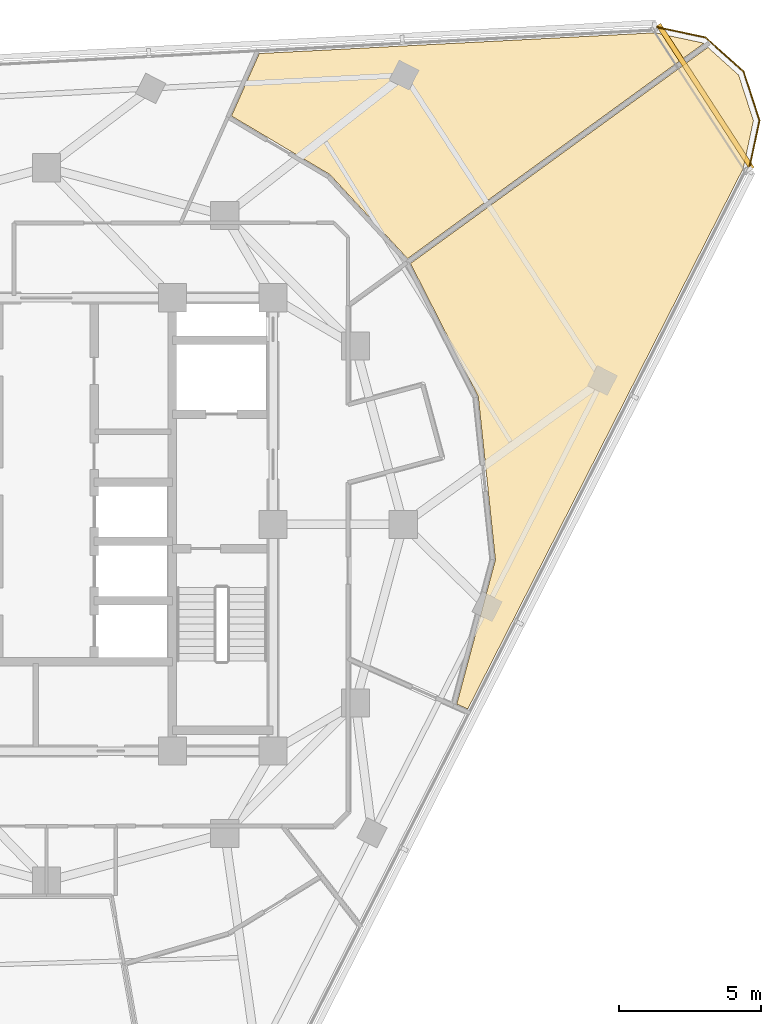
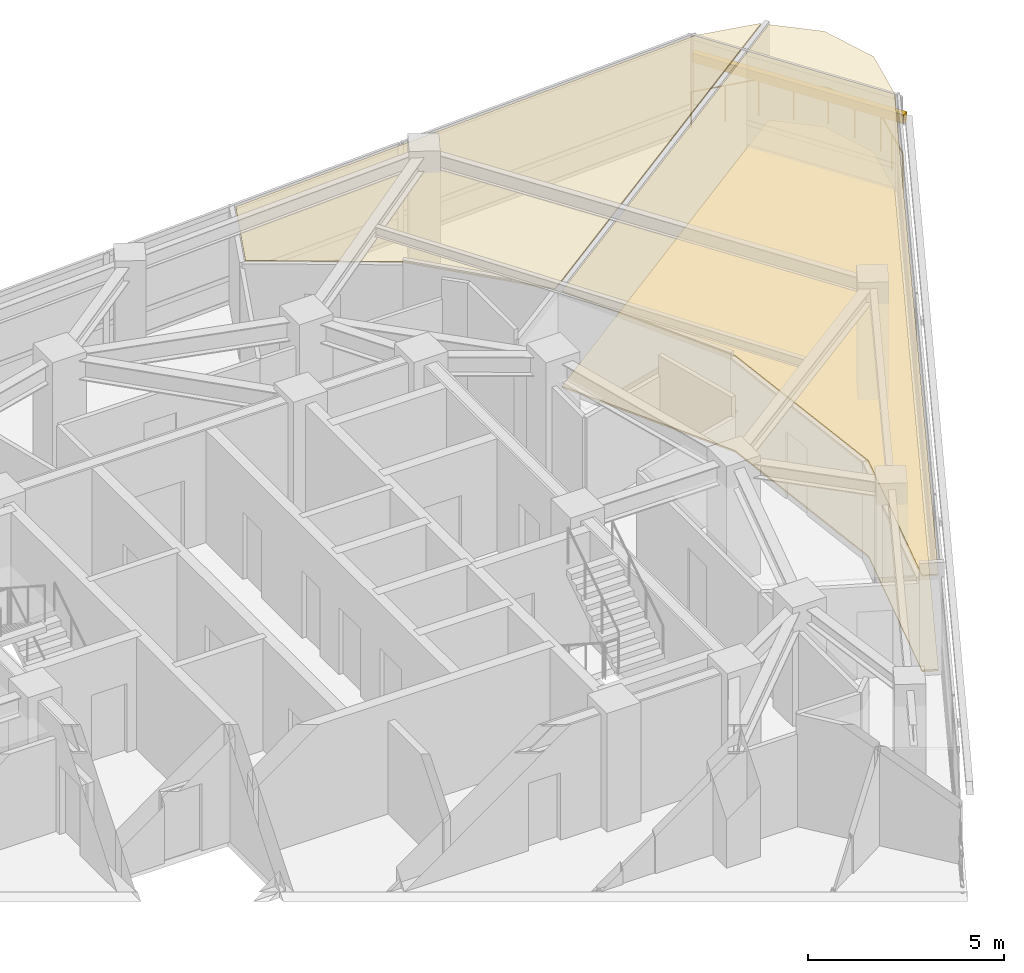
# One storey, part 15 of 15: 3 coverings, 1 railing, 1 shading device.
"""IFC4 building model written with IfcOpenShell, lengths in metres."""

from ifc_helpers import new_model, si_unit, direction, frame, origin, origin_2d, place, context, subcontext, project, spatial, polyline, rectangle, circle, outline, extrude, material, layer, layer_set, type_object, element, save


model = new_model("IFC4")

# Units and contexts
model_context = context("Model", 3, precision=1e-05, world=origin(), true_north=direction((0.0, 1.0)))
body_context = subcontext(model_context, "Body", "Model", "MODEL_VIEW")
ifc_project = project(units=[si_unit("LENGTHUNIT", "METRE"), si_unit("AREAUNIT", "SQUARE_METRE"), si_unit("VOLUMEUNIT", "CUBIC_METRE"), si_unit("PLANEANGLEUNIT", "RADIAN"), si_unit("MASSUNIT", "GRAM", prefix="KILO")], contexts=[model_context])

# Site, building, storey
site_placement = place(None, origin())
site = spatial("IfcSite", under=ifc_project, at=site_placement, CompositionType="ELEMENT")
building_placement = place(site_placement, origin())
building = spatial("IfcBuilding", under=site, at=building_placement, Name="Terralouvre Media Tower", CompositionType="ELEMENT")
storey_placement = place(building_placement, frame((0.0, 0.0, 255.89990234375)))
storey = spatial("IfcBuildingStorey", under=building, at=storey_placement, Name="L66", CompositionType="ELEMENT", Elevation=255.89990234375)

# Coverings
ifc_material_1 = material(Name="Resilient elastomer acoustic broadcast studio flooring")
ifc_layer_1 = layer(ifc_material_1, 0.050048828125, Name="Broadcast Studio Acoustic Floating Floor FL-AC1")
ifc_layer_set_1 = layer_set([ifc_layer_1], Name="Resilient elastomer acoustic broadcast studio flooring")
covering_type_1 = type_object("IfcCoveringType", Name="Broadcast Studio Acoustic Floating Floor FL-AC1", PredefinedType="FLOORING", material=ifc_layer_set_1)
covering_1_placement = place(storey_placement, frame((0.0, 0.0, 0.0), z_axis=(0.0, 0.0, 1.0), x_axis=(0.45399049974, 0.891006524188, 0.0)))
element("IfcCovering", 1, at=covering_1_placement, inside=storey, type_object=covering_type_1, Name="L66 Chamber Rehearsal Creative Workshop 7 Acoustic Floating Floor", PredefinedType="FLOORING", context=body_context, shape_type="SweptSolid", body=[
    extrude(outline(polyline([(10.956298828125, -11.51953125), (10.95068359375, -11.52685546875), (10.9443359375, -11.533447265625), (10.937255859375, -11.539306640625), (10.929931640625, -11.544677734375), (6.1005859375, -14.68115234375), (6.092529296875, -14.685791015625), (6.084228515625, -14.689453125), (6.07568359375, -14.692626953125), (6.066650390625, -14.695068359375), (0.92724609375, -15.78759765625), (0.949951171875, -16.212646484375), (22.371337890625, -16.212646484375), (24.036376953125, -15.766845703125), (25.234130859375, -14.569091796875), (25.611083984375, -13.16162109375), (14.04541015625, -7.2685546875), (10.956298828125, -11.51953125)])), origin(), (0.0, 0.0, 1.0), 0.050048828125),
])
ifc_material_2 = material(Name="Perforated aluminium acoustic ceiling baffle", Category="aluminium")
ifc_layer_2 = layer(ifc_material_2, 0.0400390625, Name="Perforated Acoustic Metal Tile Ceiling CL-AC1")
ifc_layer_set_2 = layer_set([ifc_layer_2], Name="Perforated aluminium acoustic ceiling baffle")
covering_type_2 = type_object("IfcCoveringType", Name="Perforated Acoustic Metal Tile Ceiling CL-AC1", PredefinedType="CEILING", material=ifc_layer_set_2)
covering_2_placement = place(storey_placement, frame((0.0, 0.0, 2.97998046875), z_axis=(0.0, 0.0, 1.0), x_axis=(0.45399049974, 0.891006524188, 0.0)))
element("IfcCovering", 2, at=covering_2_placement, inside=storey, type_object=covering_type_2, Name="L66 Chamber Rehearsal Creative Workshop 7 Acoustic Ceiling", PredefinedType="CEILING", context=body_context, shape_type="SweptSolid", body=[
    extrude(outline(polyline([(10.956298828125, -11.51953125), (10.95068359375, -11.52685546875), (10.9443359375, -11.533447265625), (10.937255859375, -11.539306640625), (10.929931640625, -11.544677734375), (6.1005859375, -14.68115234375), (6.092529296875, -14.685791015625), (6.084228515625, -14.689453125), (6.07568359375, -14.692626953125), (6.066650390625, -14.695068359375), (0.92724609375, -15.78759765625), (0.949951171875, -16.212646484375), (22.371337890625, -16.212646484375), (24.036376953125, -15.766845703125), (25.234130859375, -14.569091796875), (25.611083984375, -13.16162109375), (14.04541015625, -7.2685546875), (10.956298828125, -11.51953125)])), origin(), (0.0, 0.0, 1.0), 0.0400390625),
])
covering_3_placement = place(storey_placement, frame((0.0, 0.0, 2.97998046875), z_axis=(0.0, 0.0, 1.0), x_axis=(0.45399049974, 0.891006524188, 0.0)))
element("IfcCovering", 3, at=covering_3_placement, inside=storey, type_object=covering_type_2, Name="L66 Publishing Production Workspace 8 Acoustic Ceiling", PredefinedType="CEILING", context=body_context, shape_type="SweptSolid", body=[
    extrude(outline(polyline([(15.554443359375, -3.291259765625), (15.55322265625, -3.30078125), (15.551513671875, -3.310302734375), (15.548583984375, -3.3193359375), (14.154296875, -7.099365234375), (25.663818359375, -12.9638671875), (25.672119140625, -12.932861328125), (25.226318359375, -11.267578125), (18.22705078125, 0.8544921875), (15.817626953125, 0.72900390625), (15.554443359375, -3.291259765625)])), origin(), (0.0, 0.0, 1.0), 0.0400390625),
])

# Railing
ifc_material_3 = material(Name="Stainless steel 316 handrail and balustrade", Category="steel")
ifc_layer_3 = layer(ifc_material_3, 0.06005859375, Name="Roof Edge Safety Guardrail GR-ROOF1")
ifc_layer_set_3 = layer_set([ifc_layer_3], Name="Stainless steel 316 handrail and balustrade")
railing_type = type_object("IfcRailingType", Name="Roof Edge Safety Guardrail GR-ROOF1", PredefinedType="GUARDRAIL", material=ifc_layer_set_3)
railing_placement = place(storey_placement, frame((24.797607421875, 12.491455078125, 0.0)))
element("IfcRailing", 4, at=railing_placement, inside=storey, type_object=railing_type, Name="L66 Wind-Corner Perimeter Safety Guardrail C1", PredefinedType="GUARDRAIL", context=body_context, shape_type="SweptSolid", body=[
    extrude(circle(Radius=0.02099609375, at=origin_2d()), frame((0.0, 0.0, 1.12890625), z_axis=(0.208129595218, 0.978101258354, 0.0), x_axis=(-0.978101258354, 0.208129595218, 0.0)), (0.0, 0.0, 1.0), 1.81103515625),
    extrude(circle(Radius=0.02099609375, at=origin_2d()), frame((0.376953125, 1.771484375, 1.12890625), z_axis=(-0.308857436997, 0.951108344833, 0.0), x_axis=(-0.951108344833, -0.308857436997, 0.0)), (0.0, 0.0, 1.0), 1.81103515625),
    extrude(circle(Radius=0.02099609375, at=origin_2d()), frame((-0.182373046875, 3.493896484375, 1.12890625), z_axis=(-0.743274034333, 0.668987077518, 0.0), x_axis=(-0.668987077518, -0.743274034333, 0.0)), (0.0, 0.0, 1.0), 1.810791015625),
    extrude(circle(Radius=0.02099609375, at=origin_2d()), frame((-1.5283203125, 4.705322265625, 1.12890625), z_axis=(-0.97818932942, 0.207715275821, 0.0), x_axis=(-0.207715275821, -0.97818932942, 0.0)), (0.0, 0.0, 1.0), 1.811279296875),
    extrude(circle(Radius=0.01904296875, at=origin_2d()), origin(), (0.0, 0.0, 1.0), 1.10791015625),
    extrude(circle(Radius=0.01904296875, at=origin_2d()), frame((0.1884765625, 0.8857421875, 0.0)), (0.0, 0.0, 1.0), 1.10791015625),
    extrude(circle(Radius=0.01904296875, at=origin_2d()), frame((0.376953125, 1.771484375, 0.0)), (0.0, 0.0, 1.0), 1.10791015625),
    extrude(circle(Radius=0.01904296875, at=origin_2d()), frame((0.09716796875, 2.6328125, 0.0)), (0.0, 0.0, 1.0), 1.10791015625),
    extrude(circle(Radius=0.01904296875, at=origin_2d()), frame((-0.182373046875, 3.493896484375, 0.0)), (0.0, 0.0, 1.0), 1.10791015625),
    extrude(circle(Radius=0.01904296875, at=origin_2d()), frame((-0.85546875, 4.099609375, 0.0)), (0.0, 0.0, 1.0), 1.10791015625),
    extrude(circle(Radius=0.01904296875, at=origin_2d()), frame((-1.5283203125, 4.705322265625, 0.0)), (0.0, 0.0, 1.0), 1.10791015625),
    extrude(circle(Radius=0.01904296875, at=origin_2d()), frame((-2.4140625, 4.8935546875, 0.0)), (0.0, 0.0, 1.0), 1.10791015625),
    extrude(circle(Radius=0.01904296875, at=origin_2d()), frame((-3.300048828125, 5.08154296875, 0.0)), (0.0, 0.0, 1.0), 1.10791015625),
])

# Shading device
ifc_material_4 = material(Name="Extruded terracotta baguette sunshade louvres", Category="masonry")
shading_device_type = type_object("IfcShadingDeviceType", Name="Terracotta Baguette Sunshade Louvre Screen TB-LV1", PredefinedType="USERDEFINED", material=ifc_material_4)
shading_device_placement = place(storey_placement, frame((23.2607421875, 15.105712890625, 2.02392578125), z_axis=(0.0, 0.0, 1.0), x_axis=(-0.544639197097, 0.838670462688, 0.0)))
element("IfcShadingDevice", 5, at=shading_device_placement, inside=storey, type_object=shading_device_type, Name="CW-L66-C1 Terracotta Baguette Sunshade Louvre", ObjectType="BAGUETTE", PredefinedType="USERDEFINED", context=body_context, shape_type="SweptSolid", body=[
    extrude(rectangle(XDim=6.062255859375, YDim=0.179931640625, at=origin_2d()), origin(), (0.0, 0.0, 1.0), 0.280029296875),
])

save(model, "model.ifc")
